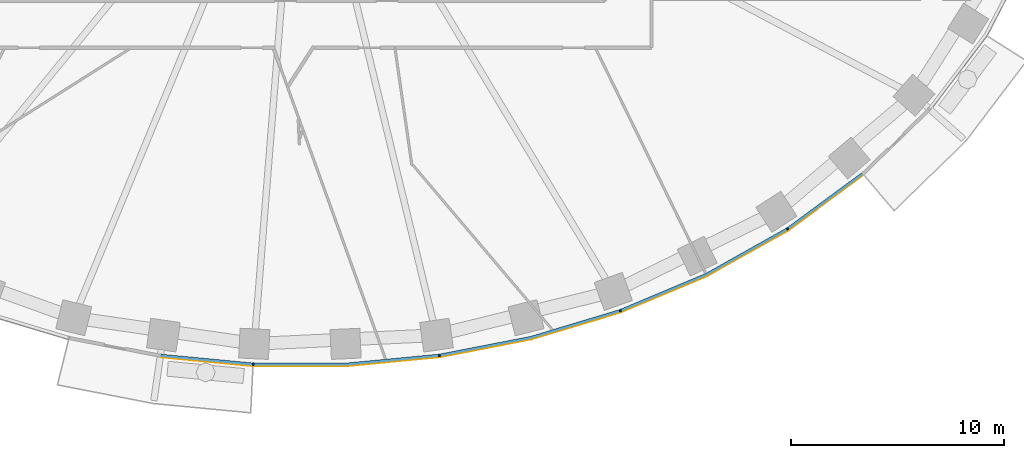
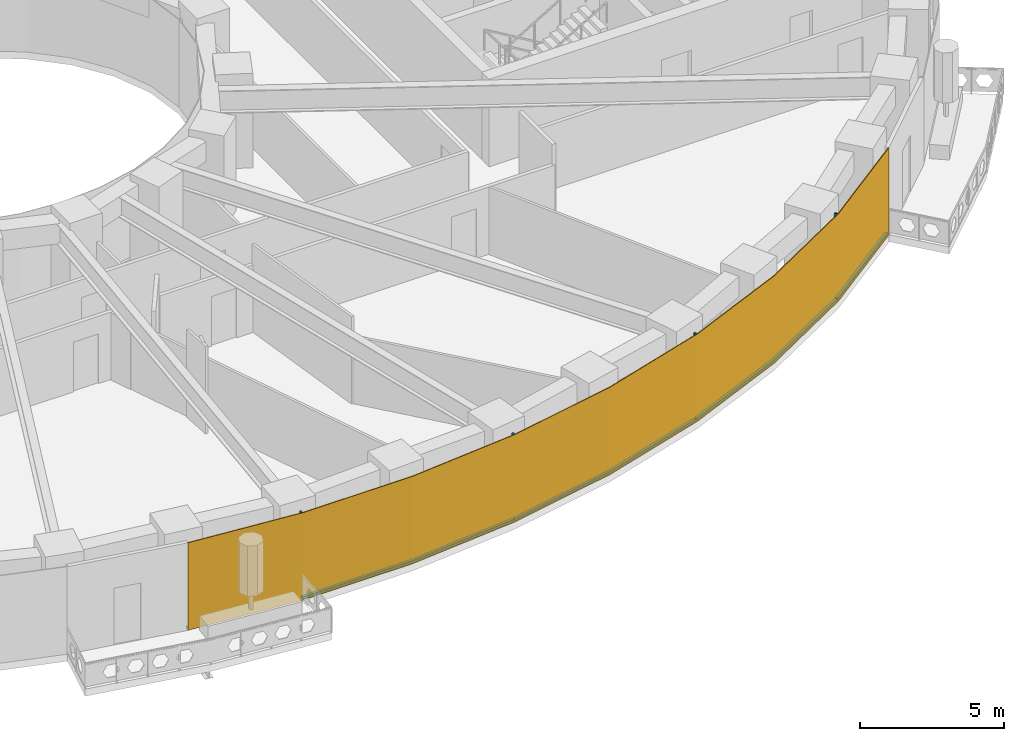
# One storey, part 9 of 16: 9 members, 1 curtain wall.
"""IFC4 building model written with IfcOpenShell, lengths in metres."""

import ifcopenshell
import ifcopenshell.guid

model = None  # the IFC model being written
_history = None  # IfcOwnerHistory: only IFC2X3 demands one
_inside = {}  # id of a spatial element -> (the spatial element, [elements in it])
_under = {}  # id of a project, library or spatial element -> (it, [spatial elements below it])
_declared = {}  # id of a project -> (the project, [libraries it declares])
_typed = {}  # id of a type object -> (the type object, [elements of that type])
_made_of = {}  # id of a material, layer set ... -> (it, [elements and type objects made of it])


def new_model(schema):
    """Start an empty IFC model of exactly this schema.

    Asked for "IFC4X3", IfcOpenShell would pick the latest addendum, in which some entities
    have other attributes; the version numbers below select the first issue.
    IFC2X3 requires an IfcOwnerHistory on every rooted entity: one is made here for all.
    """
    global model, _history
    if schema == "IFC4X3":
        model = ifcopenshell.file(schema_version=(4, 3, 0, 0))
    else:
        model = ifcopenshell.file(schema=schema)
    _inside.clear()
    _under.clear()
    _declared.clear()
    _typed.clear()
    _made_of.clear()
    _history = None
    if model.schema == "IFC2X3":
        org = make("IfcOrganization", Name="unknown")
        user = make(
            "IfcPersonAndOrganization",
            ThePerson=make("IfcPerson", FamilyName="unknown"),
            TheOrganization=org,
        )
        app = make(
            "IfcApplication",
            ApplicationDeveloper=org,
            Version="unknown",
            ApplicationFullName="unknown",
            ApplicationIdentifier="unknown",
        )
        _history = make(
            "IfcOwnerHistory",
            OwningUser=user,
            OwningApplication=app,
            ChangeAction="ADDED",
            CreationDate=0,
        )
    return model


def make(cls, **values):
    """One entity of the class cls with the attributes given. An attribute that is None is left unset."""
    return model.create_entity(
        cls, **{name: value for name, value in values.items() if value is not None}
    )


def rooted(cls, **values):
    """An entity with a GlobalId (a new one), such as an element, a storey or a relation."""
    return make(cls, GlobalId=ifcopenshell.guid.new(), OwnerHistory=_history, **values)


def si_unit(unit_type, name, prefix=None):
    """IfcSIUnit, for example si_unit("LENGTHUNIT", "METRE", prefix="MILLI")."""
    return make("IfcSIUnit", UnitType=unit_type, Prefix=prefix, Name=name)


def assignment(units):
    """IfcUnitAssignment: the units of a project."""
    return None if units is None else make("IfcUnitAssignment", Units=units)


def point(xyz):
    """IfcCartesianPoint."""
    return None if xyz is None else make("IfcCartesianPoint", Coordinates=xyz)


def direction(xyz):
    """IfcDirection."""
    return None if xyz is None else make("IfcDirection", DirectionRatios=xyz)


def frame(location, z_axis=None, x_axis=None):
    """IfcAxis2Placement3D, a coordinate frame: its origin and axes. An axis left out is left unset."""
    return make(
        "IfcAxis2Placement3D",
        Location=point(location),
        Axis=direction(z_axis),
        RefDirection=direction(x_axis),
    )


def frame_2d(location, x_axis=None):
    """IfcAxis2Placement2D, a coordinate frame in the plane: its origin and x axis."""
    return make(
        "IfcAxis2Placement2D", Location=point(location), RefDirection=direction(x_axis)
    )


def origin():
    """The frame at (0, 0, 0) with its axes left unset."""
    return frame((0.0, 0.0, 0.0))


def origin_2d():
    """The frame at (0, 0) in the plane with its x axis left unset."""
    return frame_2d((0.0, 0.0))


def place(relative_to, where):
    """IfcLocalPlacement: puts the frame where relative to a parent placement (None: the world)."""
    return make(
        "IfcLocalPlacement", PlacementRelTo=relative_to, RelativePlacement=where
    )


def context(
    kind, dimensions, precision=None, world=None, true_north=None, identifier=None
):
    """IfcGeometricRepresentationContext, for example the 3D "Model" context."""
    return make(
        "IfcGeometricRepresentationContext",
        ContextIdentifier=identifier,
        ContextType=kind,
        CoordinateSpaceDimension=dimensions,
        Precision=precision,
        WorldCoordinateSystem=world,
        TrueNorth=true_north,
    )


def subcontext(parent, identifier, kind, view, scale=None):
    """IfcGeometricRepresentationSubContext, for example "Body" below "Model"."""
    return make(
        "IfcGeometricRepresentationSubContext",
        ContextIdentifier=identifier,
        ContextType=kind,
        ParentContext=parent,
        TargetScale=scale,
        TargetView=view,
    )


def project(units=None, contexts=None):
    """IfcProject with its units and contexts."""
    return rooted(
        "IfcProject",
        Name="project",
        RepresentationContexts=contexts,
        UnitsInContext=assignment(units),
    )


def spatial(cls, under=None, at=None, **own):
    """A site, building, storey or space (cls), placed at a placement, below another one or the project."""
    s = rooted(cls, ObjectPlacement=at, **own)
    if under is not None:
        _under.setdefault(under.id(), (under, []))[1].append(s)
    return s


def polyline(points):
    """IfcPolyline through the points."""
    return make("IfcPolyline", Points=[point(p) for p in points])


def profile(cls, at=None, kind="AREA", **sizes):
    """A parametric profile (cls). Its sizes go by their IFC names, for example OverallWidth=200.0."""
    return make(cls, ProfileType=kind, Position=at, **sizes)


def rectangle(**sizes):
    """IfcRectangleProfileDef."""
    return profile("IfcRectangleProfileDef", **sizes)


def outline(outer, holes=None, kind="AREA"):
    """IfcArbitraryClosedProfileDef: a profile drawn as a closed curve; with holes, ...WithVoids."""
    if holes is None:
        return make("IfcArbitraryClosedProfileDef", ProfileType=kind, OuterCurve=outer)
    return make(
        "IfcArbitraryProfileDefWithVoids",
        ProfileType=kind,
        OuterCurve=outer,
        InnerCurves=holes,
    )


def extrude(swept, where, along, depth):
    """IfcExtrudedAreaSolid: the profile swept, set in the frame where, extruded along a direction by depth."""
    return make(
        "IfcExtrudedAreaSolid",
        SweptArea=swept,
        Position=where,
        ExtrudedDirection=direction(along),
        Depth=depth,
    )


def shape(context_of_items, identifier, shape_type, items):
    """IfcShapeRepresentation: the items that make up one representation, for example the "Body"."""
    return make(
        "IfcShapeRepresentation",
        ContextOfItems=context_of_items,
        RepresentationIdentifier=identifier,
        RepresentationType=shape_type,
        Items=items,
    )


def material(Name=None, Category=None):
    """IfcMaterial."""
    return make("IfcMaterial", Name=Name, Category=Category)


def layer(
    of_material, thickness, ventilated=None, Name=None, Category=None, Priority=None
):
    """IfcMaterialLayer: one layer of a wall or slab, of a material (None: an air gap)."""
    return make(
        "IfcMaterialLayer",
        Material=of_material,
        LayerThickness=thickness,
        IsVentilated=ventilated,
        Name=Name,
        Category=Category,
        Priority=Priority,
    )


def layer_set(layers, Name=None):
    """IfcMaterialLayerSet."""
    return make("IfcMaterialLayerSet", MaterialLayers=layers, LayerSetName=Name)


def material_profile(
    of_material, cross_section, Name=None, Category=None, Priority=None
):
    """IfcMaterialProfile: a cross section and its material."""
    return make(
        "IfcMaterialProfile",
        Name=Name,
        Material=of_material,
        Profile=cross_section,
        Priority=Priority,
        Category=Category,
    )


def profile_set(profiles, Name=None, composite=None):
    """IfcMaterialProfileSet."""
    return make(
        "IfcMaterialProfileSet",
        Name=Name,
        MaterialProfiles=profiles,
        CompositeProfile=composite,
    )


def made_of(thing, what):
    """Note that an element or type object is made of a material, layer set ...; save() writes the relation."""
    if what is not None:
        _made_of.setdefault(what.id(), (what, []))[1].append(thing)
    return thing


def type_object(cls, material=None, **own):
    """A type object (cls), such as IfcWallType, which elements share."""
    return made_of(rooted(cls, **own), material)


def element(
    cls,
    number,
    at=None,
    inside=None,
    cuts=None,
    type_object=None,
    material=None,
    context=None,
    identifier="Body",
    shape_type=None,
    held_by="IfcProductDefinitionShape",
    body=None,
    shapes=None,
    **own,
):
    """One element of the class cls, such as IfcWall. Its Tag is "e" and its number.

    at: its placement. inside: the storey or other place that contains it. cuts: it is an
    opening in that element (IfcRelVoidsElement). A single representation is given by context,
    identifier, shape_type and body (its items); several are given by shapes. held_by: the class
    of the entity that holds the representations. save() writes the other relations.
    """
    e = rooted(cls, Tag="e%d" % number, ObjectPlacement=at, **own)
    if body is not None:
        shapes = [shape(context, identifier, shape_type, body)]
    if shapes is not None:
        e.Representation = make(held_by, Representations=shapes)
    if inside is not None:
        _inside.setdefault(inside.id(), (inside, []))[1].append(e)
    if cuts is not None:
        rooted(
            "IfcRelVoidsElement", RelatingBuildingElement=cuts, RelatedOpeningElement=e
        )
    if type_object is not None:
        _typed.setdefault(type_object.id(), (type_object, []))[1].append(e)
    return made_of(e, material)


def aggregate(whole, parts):
    """IfcRelAggregates: a whole, such as a stair, and the parts it consists of."""
    return rooted("IfcRelAggregates", RelatingObject=whole, RelatedObjects=parts)


def save(model, path):
    """Write the relations noted so far, then the file.

    IfcRelAggregates (storeys below a building ...), IfcRelContainedInSpatialStructure (elements
    in a storey), IfcRelDefinesByType, IfcRelAssociatesMaterial and IfcRelDeclares: one each for
    every whole, place, type object, material and project.
    """
    for whole, parts in _under.values():
        aggregate(whole, parts)
    for where, things in _inside.values():
        rooted(
            "IfcRelContainedInSpatialStructure",
            RelatedElements=things,
            RelatingStructure=where,
        )
    for kind, things in _typed.values():
        rooted("IfcRelDefinesByType", RelatedObjects=things, RelatingType=kind)
    for what, things in _made_of.values():
        rooted("IfcRelAssociatesMaterial", RelatedObjects=things, RelatingMaterial=what)
    for by, libraries in _declared.values():
        rooted("IfcRelDeclares", RelatingContext=by, RelatedDefinitions=libraries)
    model.write(path)


model = new_model("IFC4")

# Units and contexts
model_context = context("Model", 3, precision=1e-05, world=origin(), true_north=direction((0.0, 1.0)))
body_context = subcontext(model_context, "Body", "Model", "MODEL_VIEW")
ifc_project = project(units=[si_unit("LENGTHUNIT", "METRE"), si_unit("AREAUNIT", "SQUARE_METRE"), si_unit("VOLUMEUNIT", "CUBIC_METRE"), si_unit("PLANEANGLEUNIT", "RADIAN"), si_unit("MASSUNIT", "GRAM", prefix="KILO")], contexts=[model_context])

# Member
ifc_material_1 = material(Name="Aluminium 6063-T6 black anodised", Category="aluminium")
ifc_material_profile = material_profile(ifc_material_1, rectangle(XDim=0.1201171875, YDim=0.06005859375, at=origin_2d()), Name="120x60")
ifc_profile_set = profile_set([ifc_material_profile], Name="Aluminium 6063-T6 black anodised")
member_type_1 = type_object("IfcMemberType", Name="ENV-MULLION-A-120", PredefinedType="MULLION", material=ifc_profile_set)
site_placement = place(None, origin())
building_placement = place(site_placement, origin())
storey_placement = place(building_placement, frame((0.0, 0.0, 58.5)))
member_1_placement = place(storey_placement, frame((-2.188720703125, -27.856201171875, 0.0), z_axis=(0.0, 0.0, 1.0), x_axis=(0.047557873581, 0.998868484166, 0.0)))
member_1 = element("IfcMember", 1, at=member_1_placement, type_object=member_type_1, Name="Mullion A radial 35", PredefinedType="MULLION", context=body_context, shape_type="SweptSolid", body=[
    extrude(rectangle(XDim=0.1201171875, YDim=0.06005859375, at=origin_2d()), origin(), (0.0, 0.0, 1.0), 3.699951171875),
])

member_2_placement = place(storey_placement, frame((6.54638671875, -27.440185546875, 0.0), z_axis=(0.0, 0.0, 1.0), x_axis=(-0.143082012705, 0.989710835366, 0.0)))
member_2 = element("IfcMember", 2, at=member_2_placement, type_object=member_type_1, Name="Mullion A radial 37", PredefinedType="MULLION", context=body_context, shape_type="SweptSolid", body=[
    extrude(rectangle(XDim=0.1201171875, YDim=0.06005859375, at=origin_2d()), origin(), (0.0, 0.0, 1.0), 3.699951171875),
])

member_3_placement = place(storey_placement, frame((15.0341796875, -25.34375, 0.0), z_axis=(0.0, 0.0, 1.0), x_axis=(-0.338379256581, 0.941009818608, 0.0)))
member_3 = element("IfcMember", 3, at=member_3_placement, type_object=member_type_1, Name="Mullion A radial 39", PredefinedType="MULLION", context=body_context, shape_type="SweptSolid", body=[
    extrude(rectangle(XDim=0.1201171875, YDim=0.06005859375, at=origin_2d()), origin(), (0.0, 0.0, 1.0), 3.699951171875),
])

member_4_placement = place(storey_placement, frame((22.882568359375, -21.506591796875, 0.0), z_axis=(0.0, 0.0, 1.0), x_axis=(-0.542279153225, 0.840198381323, 0.0)))
member_4 = element("IfcMember", 4, at=member_4_placement, type_object=member_type_1, Name="Mullion A radial 41", PredefinedType="MULLION", context=body_context, shape_type="SweptSolid", body=[
    extrude(rectangle(XDim=0.1201171875, YDim=0.06005859375, at=origin_2d()), origin(), (0.0, 0.0, 1.0), 3.699951171875),
])

ifc_material_2 = material(Name="Aluminium 6063-T6 black anodised", Category="aluminium")
member_type_2 = type_object("IfcMemberType", Name="ENV-TRANSOM-A", PredefinedType="USERDEFINED", material=ifc_material_2)
member_5_placement = place(storey_placement, origin())
member_5 = element("IfcMember", 5, at=member_5_placement, type_object=member_type_2, Name="Transom A radial 34-35", ObjectType="TRANSOM", PredefinedType="USERDEFINED", context=body_context, shape_type="SweptSolid", body=[
    extrude(outline(polyline([(-6.53515625, -27.50146484375), (-2.219482421875, -27.913330078125), (-2.2138671875, -27.793212890625), (-6.51806640625, -27.382568359375), (-6.53515625, -27.50146484375)])), origin(), (0.0, 0.0, 1.0), 0.10009765625),
])

member_6_placement = place(storey_placement, origin())
member_6 = element("IfcMember", 6, at=member_6_placement, type_object=member_type_2, Name="Transom A radial 35-37", ObjectType="TRANSOM", PredefinedType="USERDEFINED", context=body_context, shape_type="SweptSolid", body=[
    extrude(outline(polyline([(-2.163818359375, -27.916015625), (2.191650390625, -27.916015625), (6.527099609375, -27.502197265625), (6.510009765625, -27.38330078125), (2.185791015625, -27.7958984375), (-2.157958984375, -27.7958984375), (-2.163818359375, -27.916015625)])), origin(), (0.0, 0.0, 1.0), 0.10009765625),
])

member_7_placement = place(storey_placement, origin())
member_7 = element("IfcMember", 7, at=member_7_placement, type_object=member_type_2, Name="Transom A radial 37-39", ObjectType="TRANSOM", PredefinedType="USERDEFINED", context=body_context, shape_type="SweptSolid", body=[
    extrude(outline(polyline([(6.58251953125, -27.494140625), (10.857666015625, -26.6630859375), (15.027587890625, -25.408203125), (14.987060546875, -25.295166015625), (10.828857421875, -26.54638671875), (6.5654296875, -27.375244140625), (6.58251953125, -27.494140625)])), origin(), (0.0, 0.0, 1.0), 0.10009765625),
])

member_8_placement = place(storey_placement, origin())
member_8 = element("IfcMember", 8, at=member_8_placement, type_object=member_type_2, Name="Transom A radial 39-41", ObjectType="TRANSOM", PredefinedType="USERDEFINED", context=body_context, shape_type="SweptSolid", body=[
    extrude(outline(polyline([(15.080322265625, -25.389404296875), (19.093994140625, -23.701416015625), (22.890625, -21.570556640625), (22.825439453125, -21.469482421875), (19.041259765625, -23.593505859375), (15.03955078125, -25.276123046875), (15.080322265625, -25.389404296875)])), origin(), (0.0, 0.0, 1.0), 0.10009765625),
])

member_9_placement = place(storey_placement, origin())
member_9 = element("IfcMember", 9, at=member_9_placement, type_object=member_type_2, Name="Transom A radial 41-42", ObjectType="TRANSOM", PredefinedType="USERDEFINED", context=body_context, shape_type="SweptSolid", body=[
    extrude(outline(polyline([(22.937744140625, -21.540283203125), (26.42626953125, -18.970703125), (26.348388671875, -18.87890625), (22.87255859375, -21.439208984375), (22.937744140625, -21.540283203125)])), origin(), (0.0, 0.0, 1.0), 0.10009765625),
])

# Site, building, storey
site = spatial("IfcSite", under=ifc_project, at=site_placement, CompositionType="ELEMENT")
building = spatial("IfcBuilding", under=site, at=building_placement, Name="Noorbagh Ring Tower", CompositionType="ELEMENT")
storey = spatial("IfcBuildingStorey", under=building, at=storey_placement, Name="L12", CompositionType="ELEMENT", Elevation=58.5)

# Curtain wall
ifc_material_3 = material(Name="Glass dark tinted laminated", Category="glass")
ifc_layer = layer(ifc_material_3, 0.031982421875)
ifc_layer_set = layer_set([ifc_layer], Name="Glass dark tinted laminated")
curtain_wall_type = type_object("IfcCurtainWallType", Name="ENV-CW-A", PredefinedType="NOTDEFINED", material=ifc_layer_set)
curtain_wall_placement = place(storey_placement, origin())
curtain_wall = element("IfcCurtainWall", 10, at=curtain_wall_placement, inside=storey, type_object=curtain_wall_type, Name="Curtain wall A R34", PredefinedType="NOTDEFINED", context=body_context, shape_type="SweptSolid", body=[
    extrude(outline(polyline([(-6.539794921875, -27.533203125), (-2.193115234375, -27.947998046875), (2.193115234375, -27.947998046875), (6.559814453125, -27.53125), (10.865234375, -26.6943359375), (15.065185546875, -25.430419921875), (19.108154296875, -23.730224609375), (22.9326171875, -21.583740234375), (26.447021484375, -18.9951171875), (26.42626953125, -18.970703125), (22.9150390625, -21.556884765625), (19.093994140625, -23.701416015625), (15.054443359375, -25.400146484375), (10.857666015625, -26.6630859375), (6.55517578125, -27.49951171875), (2.191650390625, -27.916015625), (-2.191650390625, -27.916015625), (-6.53515625, -27.50146484375), (-6.539794921875, -27.533203125)])), origin(), (0.0, 0.0, 1.0), 3.699951171875),
])

aggregate(curtain_wall, [member_1, member_2, member_3, member_4, member_5, member_6, member_7, member_8, member_9])

save(model, "model.ifc")
